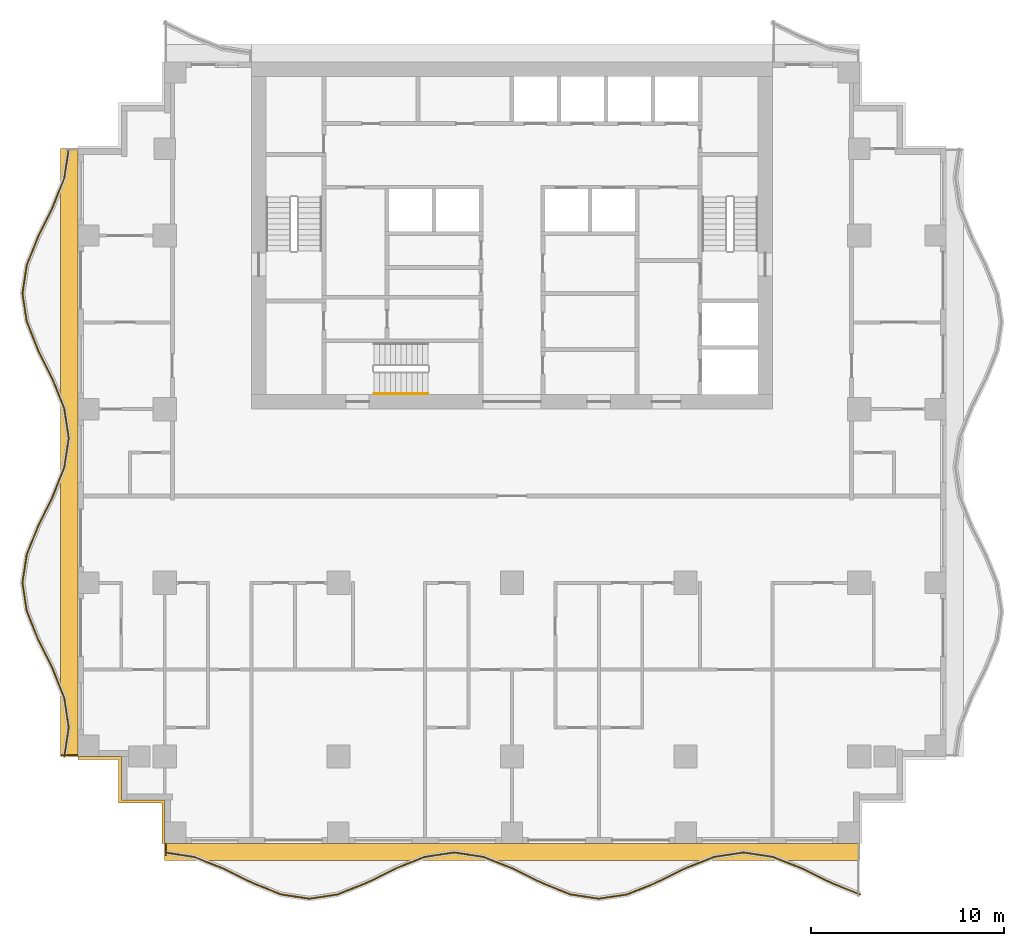
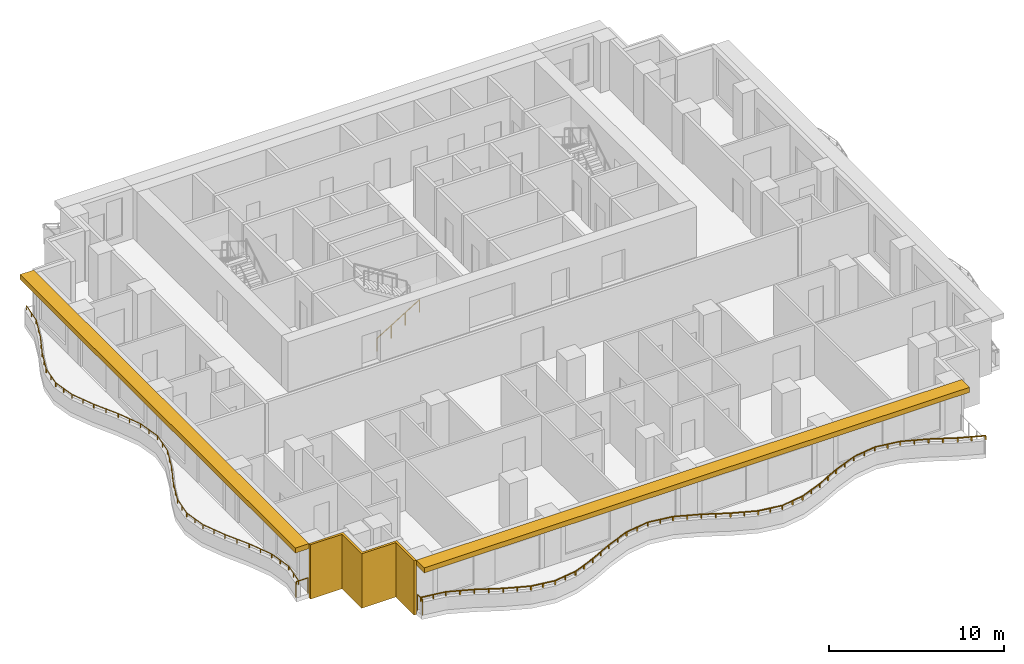
# One storey, part 7 of 10: 5 railings, 3 shading devices.
"""IFC4 building model written with IfcOpenShell, lengths in metres."""

from ifc_helpers import new_model, si_unit, direction, frame, origin, origin_2d, place, context, subcontext, project, spatial, polyline, rectangle, circle, outline, extrude, material, layer, layer_set, type_object, element, save


model = new_model("IFC4")

# Units and contexts
model_context = context("Model", 3, precision=1e-05, world=origin(), true_north=direction((0.0, 1.0)))
body_context = subcontext(model_context, "Body", "Model", "MODEL_VIEW")
ifc_project = project(units=[si_unit("LENGTHUNIT", "METRE"), si_unit("AREAUNIT", "SQUARE_METRE"), si_unit("VOLUMEUNIT", "CUBIC_METRE"), si_unit("PLANEANGLEUNIT", "RADIAN"), si_unit("MASSUNIT", "GRAM", prefix="KILO")], contexts=[model_context])

# Site, building, storey
site_placement = place(None, origin())
site = spatial("IfcSite", under=ifc_project, at=site_placement, CompositionType="ELEMENT")
building_placement = place(site_placement, origin())
building = spatial("IfcBuilding", under=site, at=building_placement, Name="Orbiselva Terraces", CompositionType="ELEMENT")
storey_placement = place(building_placement, frame((0.0, 0.0, 166.8)))
storey = spatial("IfcBuildingStorey", under=building, at=storey_placement, Name="L42", CompositionType="ELEMENT", Elevation=166.8)

# Railings
ifc_material_1 = material(Name="Stainless steel", Category="steel")
railing_type_1 = type_object("IfcRailingType", Name="CORE-HANDRAIL-900", PredefinedType="HANDRAIL", material=ifc_material_1)
railing_1_placement = place(storey_placement, frame((-7.15, 5.3, 0.172727)))
element("IfcRailing", 1, at=railing_1_placement, inside=storey, type_object=railing_type_1, Name="L42 S3 stair handrail 1", PredefinedType="HANDRAIL", context=body_context, shape_type="SweptSolid", body=[
    extrude(circle(Radius=0.024, at=origin_2d()), frame((0.0, 0.0, 0.876), z_axis=(0.851088519012, 0.0, 0.52502222125), x_axis=(0.0, 1.0, 0.0)), (0.0, 0.0, 1.0), 3.289905),
    extrude(circle(Radius=0.021, at=origin_2d()), origin(), (0.0, 0.0, 1.0), 0.852),
    extrude(circle(Radius=0.021, at=origin_2d()), frame((0.933333, 0.0, 0.575758)), (0.0, 0.0, 1.0), 0.852),
    extrude(circle(Radius=0.021, at=origin_2d()), frame((1.866667, 0.0, 1.151515)), (0.0, 0.0, 1.0), 0.852),
    extrude(circle(Radius=0.021, at=origin_2d()), frame((2.8, 0.0, 1.727273)), (0.0, 0.0, 1.0), 0.852),
])
ifc_material_2 = material(Name="Bonded two-ply safety glass balustrade, stainless steel posts", Category="steel")
railing_type_2 = type_object("IfcRailingType", Name="ENV-BALUSTRADE-1200", PredefinedType="BALUSTRADE", material=ifc_material_2)
railing_2_placement = place(storey_placement, frame((-17.981121, -18.476434, 0.9)))
element("IfcRailing", 2, at=railing_2_placement, inside=storey, type_object=railing_type_2, Name="Balcony balustrade L42 S", PredefinedType="BALUSTRADE", context=body_context, shape_type="SweptSolid", body=[
    extrude(outline(polyline([(0.028868, 0.0), (0.014434, 0.025), (-0.014434, 0.025), (-0.028868, 0.0), (-0.014434, -0.025), (0.014434, -0.025), (0.028868, 0.0)])), frame((0.0, 0.0, 0.275), z_axis=(0.988528588529, -0.151033869252, 0.0), x_axis=(0.151033869252, 0.988528588529, 0.0)), (0.0, 0.0, 1.0), 1.531776),
    extrude(outline(polyline([(0.028868, 0.0), (0.014434, 0.025), (-0.014434, 0.025), (-0.028868, 0.0), (-0.014434, -0.025), (0.014434, -0.025), (0.028868, 0.0)])), frame((1.514204, -0.23135, 0.275), z_axis=(0.92847681744, -0.371390359967, 0.0), x_axis=(0.371390359967, 0.92847681744, 0.0)), (0.0, 0.0, 1.0), 1.634838),
    extrude(outline(polyline([(0.028868, 0.0), (0.014434, 0.025), (-0.014434, 0.025), (-0.028868, 0.0), (-0.014434, -0.025), (0.014434, -0.025), (0.028868, 0.0)])), frame((3.032113, -0.838513, 0.275), z_axis=(0.896416672454, -0.443212307306, 0.0), x_axis=(0.443212307306, 0.896416672454, 0.0)), (0.0, 0.0, 1.0), 1.673329),
    extrude(outline(polyline([(0.028868, 0.0), (0.014434, 0.025), (-0.014434, 0.025), (-0.028868, 0.0), (-0.014434, -0.025), (0.014434, -0.025), (0.028868, 0.0)])), frame((4.532113, -1.580153, 0.275), z_axis=(0.928476561272, -0.371391000387, 0.0), x_axis=(0.371391000387, 0.928476561272, 0.0)), (0.0, 0.0, 1.0), 1.596261),
    extrude(outline(polyline([(0.028868, 0.0), (0.014434, 0.025), (-0.014434, 0.025), (-0.028868, 0.0), (-0.014434, -0.025), (0.014434, -0.025), (0.028868, 0.0)])), frame((6.014204, -2.17299, 0.275), z_axis=(0.988528606898, -0.151033749027, 0.0), x_axis=(0.151033749027, 0.988528606898, 0.0)), (0.0, 0.0, 1.0), 1.48394),
    extrude(outline(polyline([(0.028868, 0.0), (0.014434, 0.025), (-0.014434, 0.025), (-0.028868, 0.0), (-0.014434, -0.025), (0.014434, -0.025), (0.028868, 0.0)])), frame((7.481121, -2.397115, 0.275), z_axis=(0.988528606898, 0.151033749027, 0.0), x_axis=(-0.151033749027, 0.988528606898, 0.0)), (0.0, 0.0, 1.0), 1.48394),
    extrude(outline(polyline([(0.028868, 0.0), (0.014434, 0.025), (-0.014434, 0.025), (-0.028868, 0.0), (-0.014434, -0.025), (0.014434, -0.025), (0.028868, 0.0)])), frame((8.948038, -2.17299, 0.275), z_axis=(0.928476561272, 0.371391000387, 0.0), x_axis=(-0.371391000387, 0.928476561272, 0.0)), (0.0, 0.0, 1.0), 1.596261),
    extrude(outline(polyline([(0.028868, 0.0), (0.014434, 0.025), (-0.014434, 0.025), (-0.028868, 0.0), (-0.014434, -0.025), (0.014434, -0.025), (0.028868, 0.0)])), frame((10.430129, -1.580153, 0.275), z_axis=(0.896416672454, 0.443212307306, 0.0), x_axis=(-0.443212307306, 0.896416672454, 0.0)), (0.0, 0.0, 1.0), 1.673329),
    extrude(outline(polyline([(0.028868, 0.0), (0.014434, 0.025), (-0.014434, 0.025), (-0.028868, 0.0), (-0.014434, -0.025), (0.014434, -0.025), (0.028868, 0.0)])), frame((11.930129, -0.838513, 0.275), z_axis=(0.92847681744, 0.371390359967, 0.0), x_axis=(-0.371390359967, 0.92847681744, 0.0)), (0.0, 0.0, 1.0), 1.634838),
    extrude(outline(polyline([(0.028868, 0.0), (0.014434, 0.025), (-0.014434, 0.025), (-0.028868, 0.0), (-0.014434, -0.025), (0.014434, -0.025), (0.028868, 0.0)])), frame((13.448038, -0.23135, 0.275), z_axis=(0.988528536275, 0.151034211256, 0.0), x_axis=(-0.151034211256, 0.988528536275, 0.0)), (0.0, 0.0, 1.0), 1.550874),
    extrude(outline(polyline([(0.028868, 0.0), (0.014434, 0.025), (-0.014434, 0.025), (-0.028868, 0.0), (-0.014434, -0.025), (0.014434, -0.025), (0.028868, 0.0)])), frame((14.981121, 0.002885, 0.275), z_axis=(0.988528536275, -0.151034211256, 0.0), x_axis=(0.151034211256, 0.988528536275, 0.0)), (0.0, 0.0, 1.0), 1.550874),
    extrude(outline(polyline([(0.028868, 0.0), (0.014434, 0.025), (-0.014434, 0.025), (-0.028868, 0.0), (-0.014434, -0.025), (0.014434, -0.025), (0.028868, 0.0)])), frame((16.514204, -0.23135, 0.275), z_axis=(0.92847681744, -0.371390359967, 0.0), x_axis=(0.371390359967, 0.92847681744, 0.0)), (0.0, 0.0, 1.0), 1.634838),
    extrude(outline(polyline([(0.028868, 0.0), (0.014434, 0.025), (-0.014434, 0.025), (-0.028868, 0.0), (-0.014434, -0.025), (0.014434, -0.025), (0.028868, 0.0)])), frame((18.032113, -0.838513, 0.275), z_axis=(0.896416672454, -0.443212307306, 0.0), x_axis=(0.443212307306, 0.896416672454, 0.0)), (0.0, 0.0, 1.0), 1.673329),
    extrude(outline(polyline([(0.028868, 0.0), (0.014434, 0.025), (-0.014434, 0.025), (-0.028868, 0.0), (-0.014434, -0.025), (0.014434, -0.025), (0.028868, 0.0)])), frame((19.532113, -1.580153, 0.275), z_axis=(0.928476561272, -0.371391000387, 0.0), x_axis=(0.371391000387, 0.928476561272, 0.0)), (0.0, 0.0, 1.0), 1.596261),
    extrude(outline(polyline([(0.028868, 0.0), (0.014434, 0.025), (-0.014434, 0.025), (-0.028868, 0.0), (-0.014434, -0.025), (0.014434, -0.025), (0.028868, 0.0)])), frame((21.014204, -2.17299, 0.275), z_axis=(0.988528606898, -0.151033749027, 0.0), x_axis=(0.151033749027, 0.988528606898, 0.0)), (0.0, 0.0, 1.0), 1.48394),
    extrude(outline(polyline([(0.028868, 0.0), (0.014434, 0.025), (-0.014434, 0.025), (-0.028868, 0.0), (-0.014434, -0.025), (0.014434, -0.025), (0.028868, 0.0)])), frame((22.481121, -2.397115, 0.275), z_axis=(0.988528606898, 0.151033749027, 0.0), x_axis=(-0.151033749027, 0.988528606898, 0.0)), (0.0, 0.0, 1.0), 1.48394),
    extrude(outline(polyline([(0.028868, 0.0), (0.014434, 0.025), (-0.014434, 0.025), (-0.028868, 0.0), (-0.014434, -0.025), (0.014434, -0.025), (0.028868, 0.0)])), frame((23.948038, -2.17299, 0.275), z_axis=(0.928476561272, 0.371391000387, 0.0), x_axis=(-0.371391000387, 0.928476561272, 0.0)), (0.0, 0.0, 1.0), 1.596261),
    extrude(outline(polyline([(0.028868, 0.0), (0.014434, 0.025), (-0.014434, 0.025), (-0.028868, 0.0), (-0.014434, -0.025), (0.014434, -0.025), (0.028868, 0.0)])), frame((25.430129, -1.580153, 0.275), z_axis=(0.896416672454, 0.443212307306, 0.0), x_axis=(-0.443212307306, 0.896416672454, 0.0)), (0.0, 0.0, 1.0), 1.673329),
    extrude(outline(polyline([(0.028868, 0.0), (0.014434, 0.025), (-0.014434, 0.025), (-0.028868, 0.0), (-0.014434, -0.025), (0.014434, -0.025), (0.028868, 0.0)])), frame((26.930129, -0.838513, 0.275), z_axis=(0.92847681744, 0.371390359967, 0.0), x_axis=(-0.371390359967, 0.92847681744, 0.0)), (0.0, 0.0, 1.0), 1.634838),
    extrude(outline(polyline([(0.028868, 0.0), (0.014434, 0.025), (-0.014434, 0.025), (-0.028868, 0.0), (-0.014434, -0.025), (0.014434, -0.025), (0.028868, 0.0)])), frame((28.448038, -0.23135, 0.275), z_axis=(0.988528536275, 0.151034211256, 0.0), x_axis=(-0.151034211256, 0.988528536275, 0.0)), (0.0, 0.0, 1.0), 1.550874),
    extrude(outline(polyline([(0.028868, 0.0), (0.014434, 0.025), (-0.014434, 0.025), (-0.028868, 0.0), (-0.014434, -0.025), (0.014434, -0.025), (0.028868, 0.0)])), frame((29.981121, 0.002885, 0.275), z_axis=(0.988528536275, -0.151034211256, 0.0), x_axis=(0.151034211256, 0.988528536275, 0.0)), (0.0, 0.0, 1.0), 1.550874),
    extrude(outline(polyline([(0.028868, 0.0), (0.014434, 0.025), (-0.014434, 0.025), (-0.028868, 0.0), (-0.014434, -0.025), (0.014434, -0.025), (0.028868, 0.0)])), frame((31.514204, -0.23135, 0.275), z_axis=(0.92847681744, -0.371390359967, 0.0), x_axis=(0.371390359967, 0.92847681744, 0.0)), (0.0, 0.0, 1.0), 1.634838),
    extrude(outline(polyline([(0.028868, 0.0), (0.014434, 0.025), (-0.014434, 0.025), (-0.028868, 0.0), (-0.014434, -0.025), (0.014434, -0.025), (0.028868, 0.0)])), frame((33.032113, -0.838513, 0.275), z_axis=(0.896416672454, -0.443212307306, 0.0), x_axis=(0.443212307306, 0.896416672454, 0.0)), (0.0, 0.0, 1.0), 1.673329),
    extrude(outline(polyline([(0.028868, 0.0), (0.014434, 0.025), (-0.014434, 0.025), (-0.028868, 0.0), (-0.014434, -0.025), (0.014434, -0.025), (0.028868, 0.0)])), frame((34.532113, -1.580153, 0.275), z_axis=(0.928476648066, -0.371390783402, 0.0), x_axis=(0.371390783402, 0.928476648066, 0.0)), (0.0, 0.0, 1.0), 1.61063),
    extrude(rectangle(XDim=0.05, YDim=0.05, at=origin_2d()), origin(), (0.0, 0.0, 1.0), 0.25),
    extrude(rectangle(XDim=0.05, YDim=0.05, at=origin_2d()), frame((0.757102, -0.115675, 0.0)), (0.0, 0.0, 1.0), 0.25),
    extrude(rectangle(XDim=0.05, YDim=0.05, at=origin_2d()), frame((1.514204, -0.23135, 0.0)), (0.0, 0.0, 1.0), 0.25),
    extrude(rectangle(XDim=0.05, YDim=0.05, at=origin_2d()), frame((2.273159, -0.534931, 0.0)), (0.0, 0.0, 1.0), 0.25),
    extrude(rectangle(XDim=0.05, YDim=0.05, at=origin_2d()), frame((3.032113, -0.838513, 0.0)), (0.0, 0.0, 1.0), 0.25),
    extrude(rectangle(XDim=0.05, YDim=0.05, at=origin_2d()), frame((3.782113, -1.209333, 0.0)), (0.0, 0.0, 1.0), 0.25),
    extrude(rectangle(XDim=0.05, YDim=0.05, at=origin_2d()), frame((4.532113, -1.580153, 0.0)), (0.0, 0.0, 1.0), 0.25),
    extrude(rectangle(XDim=0.05, YDim=0.05, at=origin_2d()), frame((5.273159, -1.876571, 0.0)), (0.0, 0.0, 1.0), 0.25),
    extrude(rectangle(XDim=0.05, YDim=0.05, at=origin_2d()), frame((6.014204, -2.17299, 0.0)), (0.0, 0.0, 1.0), 0.25),
    extrude(rectangle(XDim=0.05, YDim=0.05, at=origin_2d()), frame((6.747663, -2.285052, 0.0)), (0.0, 0.0, 1.0), 0.25),
    extrude(rectangle(XDim=0.05, YDim=0.05, at=origin_2d()), frame((7.481121, -2.397115, 0.0)), (0.0, 0.0, 1.0), 0.25),
    extrude(rectangle(XDim=0.05, YDim=0.05, at=origin_2d()), frame((8.21458, -2.285052, 0.0)), (0.0, 0.0, 1.0), 0.25),
    extrude(rectangle(XDim=0.05, YDim=0.05, at=origin_2d()), frame((8.948038, -2.17299, 0.0)), (0.0, 0.0, 1.0), 0.25),
    extrude(rectangle(XDim=0.05, YDim=0.05, at=origin_2d()), frame((9.689084, -1.876571, 0.0)), (0.0, 0.0, 1.0), 0.25),
    extrude(rectangle(XDim=0.05, YDim=0.05, at=origin_2d()), frame((10.430129, -1.580153, 0.0)), (0.0, 0.0, 1.0), 0.25),
    extrude(rectangle(XDim=0.05, YDim=0.05, at=origin_2d()), frame((11.180129, -1.209333, 0.0)), (0.0, 0.0, 1.0), 0.25),
    extrude(rectangle(XDim=0.05, YDim=0.05, at=origin_2d()), frame((11.930129, -0.838513, 0.0)), (0.0, 0.0, 1.0), 0.25),
    extrude(rectangle(XDim=0.05, YDim=0.05, at=origin_2d()), frame((12.689084, -0.534931, 0.0)), (0.0, 0.0, 1.0), 0.25),
    extrude(rectangle(XDim=0.05, YDim=0.05, at=origin_2d()), frame((13.448038, -0.23135, 0.0)), (0.0, 0.0, 1.0), 0.25),
    extrude(rectangle(XDim=0.05, YDim=0.05, at=origin_2d()), frame((14.21458, -0.114232, 0.0)), (0.0, 0.0, 1.0), 0.25),
    extrude(rectangle(XDim=0.05, YDim=0.05, at=origin_2d()), frame((14.981121, 0.002885, 0.0)), (0.0, 0.0, 1.0), 0.25),
    extrude(rectangle(XDim=0.05, YDim=0.05, at=origin_2d()), frame((15.747663, -0.114232, 0.0)), (0.0, 0.0, 1.0), 0.25),
    extrude(rectangle(XDim=0.05, YDim=0.05, at=origin_2d()), frame((16.514204, -0.23135, 0.0)), (0.0, 0.0, 1.0), 0.25),
    extrude(rectangle(XDim=0.05, YDim=0.05, at=origin_2d()), frame((17.273158, -0.534931, 0.0)), (0.0, 0.0, 1.0), 0.25),
    extrude(rectangle(XDim=0.05, YDim=0.05, at=origin_2d()), frame((18.032113, -0.838513, 0.0)), (0.0, 0.0, 1.0), 0.25),
    extrude(rectangle(XDim=0.05, YDim=0.05, at=origin_2d()), frame((18.782113, -1.209333, 0.0)), (0.0, 0.0, 1.0), 0.25),
    extrude(rectangle(XDim=0.05, YDim=0.05, at=origin_2d()), frame((19.532113, -1.580153, 0.0)), (0.0, 0.0, 1.0), 0.25),
    extrude(rectangle(XDim=0.05, YDim=0.05, at=origin_2d()), frame((20.273158, -1.876571, 0.0)), (0.0, 0.0, 1.0), 0.25),
    extrude(rectangle(XDim=0.05, YDim=0.05, at=origin_2d()), frame((21.014204, -2.17299, 0.0)), (0.0, 0.0, 1.0), 0.25),
    extrude(rectangle(XDim=0.05, YDim=0.05, at=origin_2d()), frame((21.747663, -2.285052, 0.0)), (0.0, 0.0, 1.0), 0.25),
    extrude(rectangle(XDim=0.05, YDim=0.05, at=origin_2d()), frame((22.481121, -2.397115, 0.0)), (0.0, 0.0, 1.0), 0.25),
    extrude(rectangle(XDim=0.05, YDim=0.05, at=origin_2d()), frame((23.21458, -2.285052, 0.0)), (0.0, 0.0, 1.0), 0.25),
    extrude(rectangle(XDim=0.05, YDim=0.05, at=origin_2d()), frame((23.948038, -2.17299, 0.0)), (0.0, 0.0, 1.0), 0.25),
    extrude(rectangle(XDim=0.05, YDim=0.05, at=origin_2d()), frame((24.689084, -1.876571, 0.0)), (0.0, 0.0, 1.0), 0.25),
    extrude(rectangle(XDim=0.05, YDim=0.05, at=origin_2d()), frame((25.430129, -1.580153, 0.0)), (0.0, 0.0, 1.0), 0.25),
    extrude(rectangle(XDim=0.05, YDim=0.05, at=origin_2d()), frame((26.180129, -1.209333, 0.0)), (0.0, 0.0, 1.0), 0.25),
    extrude(rectangle(XDim=0.05, YDim=0.05, at=origin_2d()), frame((26.930129, -0.838513, 0.0)), (0.0, 0.0, 1.0), 0.25),
    extrude(rectangle(XDim=0.05, YDim=0.05, at=origin_2d()), frame((27.689084, -0.534931, 0.0)), (0.0, 0.0, 1.0), 0.25),
    extrude(rectangle(XDim=0.05, YDim=0.05, at=origin_2d()), frame((28.448038, -0.23135, 0.0)), (0.0, 0.0, 1.0), 0.25),
    extrude(rectangle(XDim=0.05, YDim=0.05, at=origin_2d()), frame((29.21458, -0.114232, 0.0)), (0.0, 0.0, 1.0), 0.25),
    extrude(rectangle(XDim=0.05, YDim=0.05, at=origin_2d()), frame((29.981121, 0.002885, 0.0)), (0.0, 0.0, 1.0), 0.25),
    extrude(rectangle(XDim=0.05, YDim=0.05, at=origin_2d()), frame((30.747662, -0.114232, 0.0)), (0.0, 0.0, 1.0), 0.25),
    extrude(rectangle(XDim=0.05, YDim=0.05, at=origin_2d()), frame((31.514204, -0.23135, 0.0)), (0.0, 0.0, 1.0), 0.25),
    extrude(rectangle(XDim=0.05, YDim=0.05, at=origin_2d()), frame((32.273158, -0.534931, 0.0)), (0.0, 0.0, 1.0), 0.25),
    extrude(rectangle(XDim=0.05, YDim=0.05, at=origin_2d()), frame((33.032113, -0.838513, 0.0)), (0.0, 0.0, 1.0), 0.25),
    extrude(rectangle(XDim=0.05, YDim=0.05, at=origin_2d()), frame((33.782113, -1.209333, 0.0)), (0.0, 0.0, 1.0), 0.25),
    extrude(rectangle(XDim=0.05, YDim=0.05, at=origin_2d()), frame((34.532113, -1.580153, 0.0)), (0.0, 0.0, 1.0), 0.25),
    extrude(rectangle(XDim=0.05, YDim=0.05, at=origin_2d()), frame((35.279829, -1.879239, 0.0)), (0.0, 0.0, 1.0), 0.25),
    extrude(rectangle(XDim=0.05, YDim=0.05, at=origin_2d()), frame((36.027545, -2.178326, 0.0)), (0.0, 0.0, 1.0), 0.25),
])
railing_3_placement = place(storey_placement, frame((-22.976434, 17.981121, 0.9)))
element("IfcRailing", 3, at=railing_3_placement, inside=storey, type_object=railing_type_2, Name="Balcony balustrade L42 W", PredefinedType="BALUSTRADE", context=body_context, shape_type="SweptSolid", body=[
    extrude(outline(polyline([(0.028868, 0.0), (0.014434, 0.025), (-0.014434, 0.025), (-0.028868, 0.0), (-0.014434, -0.025), (0.014434, -0.025), (0.028868, 0.0)])), frame((0.0, 0.0, 0.275), z_axis=(-0.151033869252, -0.988528588529, 0.0), x_axis=(0.988528588529, -0.151033869252, 0.0)), (0.0, 0.0, 1.0), 1.531776),
    extrude(outline(polyline([(0.028868, 0.0), (0.014434, 0.025), (-0.014434, 0.025), (-0.028868, 0.0), (-0.014434, -0.025), (0.014434, -0.025), (0.028868, 0.0)])), frame((-0.23135, -1.514204, 0.275), z_axis=(-0.371390359967, -0.92847681744, 0.0), x_axis=(0.92847681744, -0.371390359967, 0.0)), (0.0, 0.0, 1.0), 1.634838),
    extrude(outline(polyline([(0.028868, 0.0), (0.014434, 0.025), (-0.014434, 0.025), (-0.028868, 0.0), (-0.014434, -0.025), (0.014434, -0.025), (0.028868, 0.0)])), frame((-0.838513, -3.032113, 0.275), z_axis=(-0.443212307306, -0.896416672454, 0.0), x_axis=(0.896416672454, -0.443212307306, 0.0)), (0.0, 0.0, 1.0), 1.673329),
    extrude(outline(polyline([(0.028868, 0.0), (0.014434, 0.025), (-0.014434, 0.025), (-0.028868, 0.0), (-0.014434, -0.025), (0.014434, -0.025), (0.028868, 0.0)])), frame((-1.580153, -4.532113, 0.275), z_axis=(-0.371391000387, -0.928476561272, 0.0), x_axis=(0.928476561272, -0.371391000387, 0.0)), (0.0, 0.0, 1.0), 1.596261),
    extrude(outline(polyline([(0.028868, 0.0), (0.014434, 0.025), (-0.014434, 0.025), (-0.028868, 0.0), (-0.014434, -0.025), (0.014434, -0.025), (0.028868, 0.0)])), frame((-2.17299, -6.014204, 0.275), z_axis=(-0.151033749027, -0.988528606898, 0.0), x_axis=(0.988528606898, -0.151033749027, 0.0)), (0.0, 0.0, 1.0), 1.48394),
    extrude(outline(polyline([(0.028868, 0.0), (0.014434, 0.025), (-0.014434, 0.025), (-0.028868, 0.0), (-0.014434, -0.025), (0.014434, -0.025), (0.028868, 0.0)])), frame((-2.397115, -7.481121, 0.275), z_axis=(0.151033749027, -0.988528606898, 0.0), x_axis=(0.988528606898, 0.151033749027, 0.0)), (0.0, 0.0, 1.0), 1.48394),
    extrude(outline(polyline([(0.028868, 0.0), (0.014434, 0.025), (-0.014434, 0.025), (-0.028868, 0.0), (-0.014434, -0.025), (0.014434, -0.025), (0.028868, 0.0)])), frame((-2.17299, -8.948038, 0.275), z_axis=(0.371391000387, -0.928476561272, 0.0), x_axis=(0.928476561272, 0.371391000387, 0.0)), (0.0, 0.0, 1.0), 1.596261),
    extrude(outline(polyline([(0.028868, 0.0), (0.014434, 0.025), (-0.014434, 0.025), (-0.028868, 0.0), (-0.014434, -0.025), (0.014434, -0.025), (0.028868, 0.0)])), frame((-1.580153, -10.430129, 0.275), z_axis=(0.443212307306, -0.896416672454, 0.0), x_axis=(0.896416672454, 0.443212307306, 0.0)), (0.0, 0.0, 1.0), 1.673329),
    extrude(outline(polyline([(0.028868, 0.0), (0.014434, 0.025), (-0.014434, 0.025), (-0.028868, 0.0), (-0.014434, -0.025), (0.014434, -0.025), (0.028868, 0.0)])), frame((-0.838513, -11.930129, 0.275), z_axis=(0.371390359967, -0.92847681744, 0.0), x_axis=(0.92847681744, 0.371390359967, 0.0)), (0.0, 0.0, 1.0), 1.634838),
    extrude(outline(polyline([(0.028868, 0.0), (0.014434, 0.025), (-0.014434, 0.025), (-0.028868, 0.0), (-0.014434, -0.025), (0.014434, -0.025), (0.028868, 0.0)])), frame((-0.23135, -13.448038, 0.275), z_axis=(0.151034211256, -0.988528536275, 0.0), x_axis=(0.988528536275, 0.151034211256, 0.0)), (0.0, 0.0, 1.0), 1.550874),
    extrude(outline(polyline([(0.028868, 0.0), (0.014434, 0.025), (-0.014434, 0.025), (-0.028868, 0.0), (-0.014434, -0.025), (0.014434, -0.025), (0.028868, 0.0)])), frame((0.002885, -14.981121, 0.275), z_axis=(-0.151034211256, -0.988528536275, 0.0), x_axis=(0.988528536275, -0.151034211256, 0.0)), (0.0, 0.0, 1.0), 1.550874),
    extrude(outline(polyline([(0.028868, 0.0), (0.014434, 0.025), (-0.014434, 0.025), (-0.028868, 0.0), (-0.014434, -0.025), (0.014434, -0.025), (0.028868, 0.0)])), frame((-0.23135, -16.514204, 0.275), z_axis=(-0.371390359967, -0.92847681744, 0.0), x_axis=(0.92847681744, -0.371390359967, 0.0)), (0.0, 0.0, 1.0), 1.634838),
    extrude(outline(polyline([(0.028868, 0.0), (0.014434, 0.025), (-0.014434, 0.025), (-0.028868, 0.0), (-0.014434, -0.025), (0.014434, -0.025), (0.028868, 0.0)])), frame((-0.838513, -18.032113, 0.275), z_axis=(-0.443212307306, -0.896416672454, 0.0), x_axis=(0.896416672454, -0.443212307306, 0.0)), (0.0, 0.0, 1.0), 1.673329),
    extrude(outline(polyline([(0.028868, 0.0), (0.014434, 0.025), (-0.014434, 0.025), (-0.028868, 0.0), (-0.014434, -0.025), (0.014434, -0.025), (0.028868, 0.0)])), frame((-1.580153, -19.532113, 0.275), z_axis=(-0.371391000387, -0.928476561272, 0.0), x_axis=(0.928476561272, -0.371391000387, 0.0)), (0.0, 0.0, 1.0), 1.596261),
    extrude(outline(polyline([(0.028868, 0.0), (0.014434, 0.025), (-0.014434, 0.025), (-0.028868, 0.0), (-0.014434, -0.025), (0.014434, -0.025), (0.028868, 0.0)])), frame((-2.17299, -21.014204, 0.275), z_axis=(-0.151033749027, -0.988528606898, 0.0), x_axis=(0.988528606898, -0.151033749027, 0.0)), (0.0, 0.0, 1.0), 1.48394),
    extrude(outline(polyline([(0.028868, 0.0), (0.014434, 0.025), (-0.014434, 0.025), (-0.028868, 0.0), (-0.014434, -0.025), (0.014434, -0.025), (0.028868, 0.0)])), frame((-2.397115, -22.481121, 0.275), z_axis=(0.151033749027, -0.988528606898, 0.0), x_axis=(0.988528606898, 0.151033749027, 0.0)), (0.0, 0.0, 1.0), 1.48394),
    extrude(outline(polyline([(0.028868, 0.0), (0.014434, 0.025), (-0.014434, 0.025), (-0.028868, 0.0), (-0.014434, -0.025), (0.014434, -0.025), (0.028868, 0.0)])), frame((-2.17299, -23.948038, 0.275), z_axis=(0.371391000387, -0.928476561272, 0.0), x_axis=(0.928476561272, 0.371391000387, 0.0)), (0.0, 0.0, 1.0), 1.596261),
    extrude(outline(polyline([(0.028868, 0.0), (0.014434, 0.025), (-0.014434, 0.025), (-0.028868, 0.0), (-0.014434, -0.025), (0.014434, -0.025), (0.028868, 0.0)])), frame((-1.580153, -25.430129, 0.275), z_axis=(0.443212307306, -0.896416672454, 0.0), x_axis=(0.896416672454, 0.443212307306, 0.0)), (0.0, 0.0, 1.0), 1.673329),
    extrude(outline(polyline([(0.028868, 0.0), (0.014434, 0.025), (-0.014434, 0.025), (-0.028868, 0.0), (-0.014434, -0.025), (0.014434, -0.025), (0.028868, 0.0)])), frame((-0.838513, -26.930129, 0.275), z_axis=(0.371390359967, -0.92847681744, 0.0), x_axis=(0.92847681744, 0.371390359967, 0.0)), (0.0, 0.0, 1.0), 1.634838),
    extrude(outline(polyline([(0.028868, 0.0), (0.014434, 0.025), (-0.014434, 0.025), (-0.028868, 0.0), (-0.014434, -0.025), (0.014434, -0.025), (0.028868, 0.0)])), frame((-0.23135, -28.448038, 0.275), z_axis=(0.151034211256, -0.988528536275, 0.0), x_axis=(0.988528536275, 0.151034211256, 0.0)), (0.0, 0.0, 1.0), 1.550874),
    extrude(outline(polyline([(0.028868, 0.0), (0.014434, 0.025), (-0.014434, 0.025), (-0.028868, 0.0), (-0.014434, -0.025), (0.014434, -0.025), (0.028868, 0.0)])), frame((0.002885, -29.981121, 0.275), z_axis=(-0.151034328999, -0.988528518286, 0.0), x_axis=(0.988528518286, -0.151034328999, 0.0)), (0.0, 0.0, 1.0), 1.536505),
    extrude(rectangle(XDim=0.05, YDim=0.05, at=origin_2d()), origin(), (0.0, 0.0, 1.0), 0.25),
    extrude(rectangle(XDim=0.05, YDim=0.05, at=origin_2d()), frame((-0.115675, -0.757102, 0.0)), (0.0, 0.0, 1.0), 0.25),
    extrude(rectangle(XDim=0.05, YDim=0.05, at=origin_2d()), frame((-0.23135, -1.514204, 0.0)), (0.0, 0.0, 1.0), 0.25),
    extrude(rectangle(XDim=0.05, YDim=0.05, at=origin_2d()), frame((-0.534931, -2.273159, 0.0)), (0.0, 0.0, 1.0), 0.25),
    extrude(rectangle(XDim=0.05, YDim=0.05, at=origin_2d()), frame((-0.838513, -3.032113, 0.0)), (0.0, 0.0, 1.0), 0.25),
    extrude(rectangle(XDim=0.05, YDim=0.05, at=origin_2d()), frame((-1.209333, -3.782113, 0.0)), (0.0, 0.0, 1.0), 0.25),
    extrude(rectangle(XDim=0.05, YDim=0.05, at=origin_2d()), frame((-1.580153, -4.532113, 0.0)), (0.0, 0.0, 1.0), 0.25),
    extrude(rectangle(XDim=0.05, YDim=0.05, at=origin_2d()), frame((-1.876571, -5.273159, 0.0)), (0.0, 0.0, 1.0), 0.25),
    extrude(rectangle(XDim=0.05, YDim=0.05, at=origin_2d()), frame((-2.17299, -6.014204, 0.0)), (0.0, 0.0, 1.0), 0.25),
    extrude(rectangle(XDim=0.05, YDim=0.05, at=origin_2d()), frame((-2.285052, -6.747663, 0.0)), (0.0, 0.0, 1.0), 0.25),
    extrude(rectangle(XDim=0.05, YDim=0.05, at=origin_2d()), frame((-2.397115, -7.481121, 0.0)), (0.0, 0.0, 1.0), 0.25),
    extrude(rectangle(XDim=0.05, YDim=0.05, at=origin_2d()), frame((-2.285052, -8.21458, 0.0)), (0.0, 0.0, 1.0), 0.25),
    extrude(rectangle(XDim=0.05, YDim=0.05, at=origin_2d()), frame((-2.17299, -8.948038, 0.0)), (0.0, 0.0, 1.0), 0.25),
    extrude(rectangle(XDim=0.05, YDim=0.05, at=origin_2d()), frame((-1.876571, -9.689084, 0.0)), (0.0, 0.0, 1.0), 0.25),
    extrude(rectangle(XDim=0.05, YDim=0.05, at=origin_2d()), frame((-1.580153, -10.430129, 0.0)), (0.0, 0.0, 1.0), 0.25),
    extrude(rectangle(XDim=0.05, YDim=0.05, at=origin_2d()), frame((-1.209333, -11.180129, 0.0)), (0.0, 0.0, 1.0), 0.25),
    extrude(rectangle(XDim=0.05, YDim=0.05, at=origin_2d()), frame((-0.838513, -11.930129, 0.0)), (0.0, 0.0, 1.0), 0.25),
    extrude(rectangle(XDim=0.05, YDim=0.05, at=origin_2d()), frame((-0.534931, -12.689084, 0.0)), (0.0, 0.0, 1.0), 0.25),
    extrude(rectangle(XDim=0.05, YDim=0.05, at=origin_2d()), frame((-0.23135, -13.448038, 0.0)), (0.0, 0.0, 1.0), 0.25),
    extrude(rectangle(XDim=0.05, YDim=0.05, at=origin_2d()), frame((-0.114232, -14.21458, 0.0)), (0.0, 0.0, 1.0), 0.25),
    extrude(rectangle(XDim=0.05, YDim=0.05, at=origin_2d()), frame((0.002885, -14.981121, 0.0)), (0.0, 0.0, 1.0), 0.25),
    extrude(rectangle(XDim=0.05, YDim=0.05, at=origin_2d()), frame((-0.114232, -15.747663, 0.0)), (0.0, 0.0, 1.0), 0.25),
    extrude(rectangle(XDim=0.05, YDim=0.05, at=origin_2d()), frame((-0.23135, -16.514204, 0.0)), (0.0, 0.0, 1.0), 0.25),
    extrude(rectangle(XDim=0.05, YDim=0.05, at=origin_2d()), frame((-0.534931, -17.273158, 0.0)), (0.0, 0.0, 1.0), 0.25),
    extrude(rectangle(XDim=0.05, YDim=0.05, at=origin_2d()), frame((-0.838513, -18.032113, 0.0)), (0.0, 0.0, 1.0), 0.25),
    extrude(rectangle(XDim=0.05, YDim=0.05, at=origin_2d()), frame((-1.209333, -18.782113, 0.0)), (0.0, 0.0, 1.0), 0.25),
    extrude(rectangle(XDim=0.05, YDim=0.05, at=origin_2d()), frame((-1.580153, -19.532113, 0.0)), (0.0, 0.0, 1.0), 0.25),
    extrude(rectangle(XDim=0.05, YDim=0.05, at=origin_2d()), frame((-1.876571, -20.273158, 0.0)), (0.0, 0.0, 1.0), 0.25),
    extrude(rectangle(XDim=0.05, YDim=0.05, at=origin_2d()), frame((-2.17299, -21.014204, 0.0)), (0.0, 0.0, 1.0), 0.25),
    extrude(rectangle(XDim=0.05, YDim=0.05, at=origin_2d()), frame((-2.285052, -21.747663, 0.0)), (0.0, 0.0, 1.0), 0.25),
    extrude(rectangle(XDim=0.05, YDim=0.05, at=origin_2d()), frame((-2.397115, -22.481121, 0.0)), (0.0, 0.0, 1.0), 0.25),
    extrude(rectangle(XDim=0.05, YDim=0.05, at=origin_2d()), frame((-2.285052, -23.21458, 0.0)), (0.0, 0.0, 1.0), 0.25),
    extrude(rectangle(XDim=0.05, YDim=0.05, at=origin_2d()), frame((-2.17299, -23.948038, 0.0)), (0.0, 0.0, 1.0), 0.25),
    extrude(rectangle(XDim=0.05, YDim=0.05, at=origin_2d()), frame((-1.876571, -24.689084, 0.0)), (0.0, 0.0, 1.0), 0.25),
    extrude(rectangle(XDim=0.05, YDim=0.05, at=origin_2d()), frame((-1.580153, -25.430129, 0.0)), (0.0, 0.0, 1.0), 0.25),
    extrude(rectangle(XDim=0.05, YDim=0.05, at=origin_2d()), frame((-1.209333, -26.180129, 0.0)), (0.0, 0.0, 1.0), 0.25),
    extrude(rectangle(XDim=0.05, YDim=0.05, at=origin_2d()), frame((-0.838513, -26.930129, 0.0)), (0.0, 0.0, 1.0), 0.25),
    extrude(rectangle(XDim=0.05, YDim=0.05, at=origin_2d()), frame((-0.534931, -27.689084, 0.0)), (0.0, 0.0, 1.0), 0.25),
    extrude(rectangle(XDim=0.05, YDim=0.05, at=origin_2d()), frame((-0.23135, -28.448038, 0.0)), (0.0, 0.0, 1.0), 0.25),
    extrude(rectangle(XDim=0.05, YDim=0.05, at=origin_2d()), frame((-0.114232, -29.21458, 0.0)), (0.0, 0.0, 1.0), 0.25),
    extrude(rectangle(XDim=0.05, YDim=0.05, at=origin_2d()), frame((0.002885, -29.981121, 0.0)), (0.0, 0.0, 1.0), 0.25),
    extrude(rectangle(XDim=0.05, YDim=0.05, at=origin_2d()), frame((-0.113147, -30.74056, 0.0)), (0.0, 0.0, 1.0), 0.25),
    extrude(rectangle(XDim=0.05, YDim=0.05, at=origin_2d()), frame((-0.22918, -31.5, 0.0)), (0.0, 0.0, 1.0), 0.25),
])
ifc_material_3 = material(Name="Stainless steel rail and posts", Category="steel")
railing_type_3 = type_object("IfcRailingType", Name="ENV-GUARD-1105", PredefinedType="BALUSTRADE", material=ifc_material_3)
railing_4_placement = place(storey_placement, frame((-17.94, -18.600379, 0.0)))
element("IfcRailing", 4, at=railing_4_placement, inside=storey, type_object=railing_type_3, Name="Balcony end guard L42 S", PredefinedType="BALUSTRADE", context=body_context, shape_type="SweptSolid", body=[
    extrude(outline(polyline([(0.028868, 0.0), (0.014434, 0.025), (-0.014434, 0.025), (-0.028868, 0.0), (-0.014434, -0.025), (0.014434, -0.025), (0.028868, 0.0)])), frame((0.0, 0.0, 1.08), z_axis=(0.0, 1.0, 0.0), x_axis=(-1.0, 0.0, 0.0)), (0.0, 0.0, 1.0), 0.575379),
    extrude(rectangle(XDim=0.05, YDim=0.05, at=origin_2d()), origin(), (0.0, 0.0, 1.0), 1.055),
    extrude(rectangle(XDim=0.05, YDim=0.05, at=origin_2d()), frame((0.0, 0.575379, 0.0)), (0.0, 0.0, 1.0), 1.055),
])
railing_5_placement = place(storey_placement, frame((-23.311761, -13.44, 0.0)))
element("IfcRailing", 5, at=railing_5_placement, inside=storey, type_object=railing_type_3, Name="Balcony end guard L42 W", PredefinedType="BALUSTRADE", context=body_context, shape_type="SweptSolid", body=[
    extrude(outline(polyline([(0.028868, 0.0), (0.014434, 0.025), (-0.014434, 0.025), (-0.028868, 0.0), (-0.014434, -0.025), (0.014434, -0.025), (0.028868, 0.0)])), frame((0.0, 0.0, 1.08), z_axis=(1.0, 0.0, 0.0), x_axis=(0.0, 1.0, 0.0)), (0.0, 0.0, 1.0), 0.786761),
    extrude(rectangle(XDim=0.05, YDim=0.05, at=origin_2d()), origin(), (0.0, 0.0, 1.0), 1.055),
    extrude(rectangle(XDim=0.05, YDim=0.05, at=origin_2d()), frame((0.786761, 0.0, 0.0)), (0.0, 0.0, 1.0), 1.055),
])

# Shading devices
ifc_material_4 = material(Name="Terracotta louvre screen", Category="masonry")
ifc_layer_1 = layer(ifc_material_4, 0.15)
ifc_layer_set_1 = layer_set([ifc_layer_1], Name="Terracotta louvre screen")
shading_device_type_1 = type_object("IfcShadingDeviceType", Name="ENV-SCREEN-150", PredefinedType="USERDEFINED", material=ifc_layer_set_1)
shading_device_1_placement = place(storey_placement, frame((0.0, 0.0, -0.3)))
element("IfcShadingDevice", 6, at=shading_device_1_placement, inside=storey, type_object=shading_device_type_1, Name="Louvre screen L42 SW", ObjectType="SCREEN", PredefinedType="USERDEFINED", context=body_context, shape_type="SweptSolid", body=[
    extrude(outline(polyline([(-22.5, -13.65), (-20.4, -13.65), (-20.4, -15.9), (-18.15, -15.9), (-18.15, -18.0), (-18.0, -18.0), (-18.0, -15.75), (-20.25, -15.75), (-20.25, -13.5), (-22.5, -13.5), (-22.5, -13.65)])), origin(), (0.0, 0.0, 1.0), 3.8),
])
ifc_material_5 = material(Name="Terracotta baguette sunshade", Category="masonry")
ifc_layer_2 = layer(ifc_material_5, 0.35)
ifc_layer_set_2 = layer_set([ifc_layer_2], Name="Terracotta baguette sunshade")
shading_device_type_2 = type_object("IfcShadingDeviceType", Name="ENV-SUNSHADE-900x350", PredefinedType="USERDEFINED", material=ifc_layer_set_2)
shading_device_2_placement = place(storey_placement, frame((0.0, 0.0, 3.15)))
element("IfcShadingDevice", 7, at=shading_device_2_placement, inside=storey, type_object=shading_device_type_2, Name="Sunshade band L42 S", ObjectType="SUNSHADE", PredefinedType="USERDEFINED", context=body_context, shape_type="SweptSolid", body=[
    extrude(outline(polyline([(-18.0, -18.9), (18.0, -18.9), (18.0, -18.0), (-18.0, -18.0), (-18.0, -18.9)])), origin(), (0.0, 0.0, 1.0), 0.35),
])
shading_device_3_placement = place(storey_placement, frame((0.0, 0.0, 3.15)))
element("IfcShadingDevice", 8, at=shading_device_3_placement, inside=storey, type_object=shading_device_type_2, Name="Sunshade band L42 W", ObjectType="SUNSHADE", PredefinedType="USERDEFINED", context=body_context, shape_type="SweptSolid", body=[
    extrude(outline(polyline([(-23.4, 18.0), (-23.4, -13.5), (-22.5, -13.5), (-22.5, 18.0), (-23.4, 18.0)])), origin(), (0.0, 0.0, 1.0), 0.35),
])

save(model, "model.ifc")
